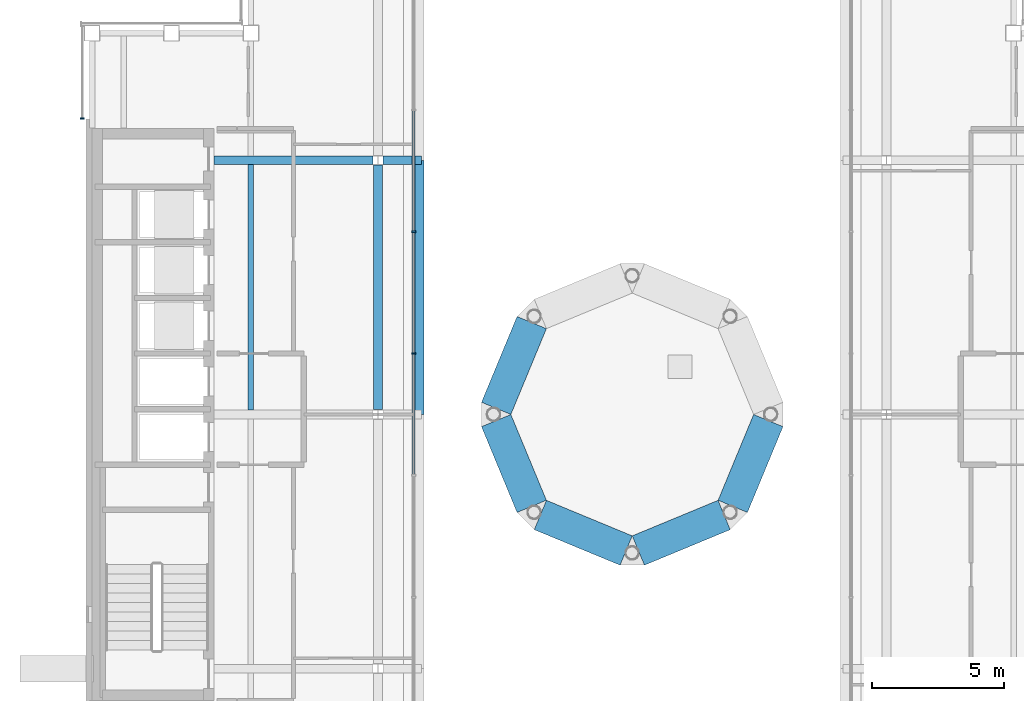
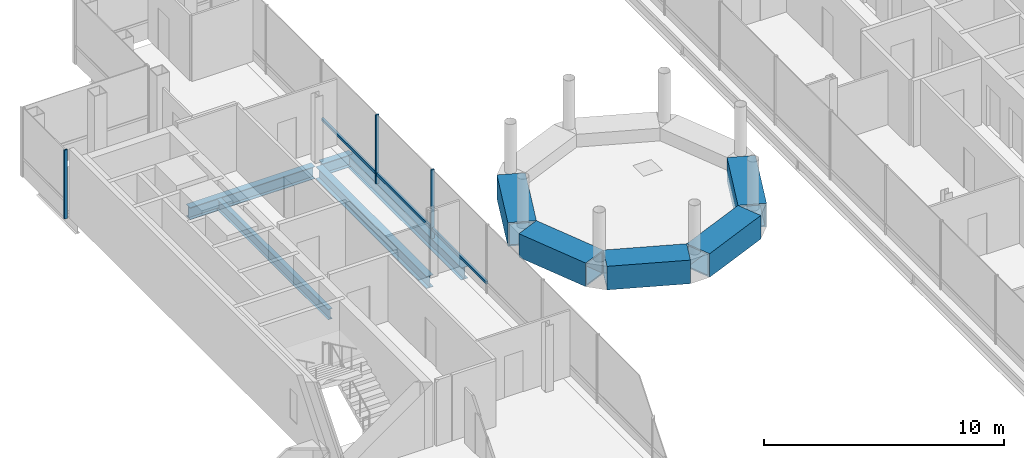
# One storey, part 5 of 16: 10 beams, 6 members, 2 elements without a shape of their own.
"""IFC4 building model written with IfcOpenShell, lengths in metres."""

from ifc_helpers import new_model, si_unit, direction, frame, origin, origin_2d, place, context, subcontext, project, spatial, rectangle, hollow_rectangle, i_section, extrude, material, material_profile, profile_set, type_object, element, aggregate, save


model = new_model("IFC4")

# Units and contexts
model_context = context("Model", 3, precision=1e-05, world=origin(), true_north=direction((0.0, 1.0)))
body_context = subcontext(model_context, "Body", "Model", "MODEL_VIEW")
ifc_project = project(units=[si_unit("LENGTHUNIT", "METRE"), si_unit("AREAUNIT", "SQUARE_METRE"), si_unit("VOLUMEUNIT", "CUBIC_METRE"), si_unit("PLANEANGLEUNIT", "RADIAN"), si_unit("MASSUNIT", "GRAM", prefix="KILO")], contexts=[model_context])

# Site, building, storey
site_placement = place(None, origin())
site = spatial("IfcSite", under=ifc_project, at=site_placement, CompositionType="ELEMENT")
building_placement = place(site_placement, origin())
building = spatial("IfcBuilding", under=site, at=building_placement, Name="Cobrizo Arcos Hotel Tower", CompositionType="ELEMENT")
storey_placement = place(building_placement, frame((0.0, 0.0, 272.5)))
storey = spatial("IfcBuildingStorey", under=building, at=storey_placement, Name="L72", CompositionType="ELEMENT", Elevation=272.5)

# Beams
ifc_material_1 = material(Name="Steel ASTM A572 Grade 50", Category="steel")
ifc_material_profile_1 = material_profile(ifc_material_1, hollow_rectangle(XDim=1.199951171875, YDim=1.199951171875, WallThickness=0.070068359375, at=origin_2d()), Name="BOX 1200X1200X70")
ifc_profile_set_1 = profile_set([ifc_material_profile_1], Name="Steel ASTM A572 Grade 50")
beam_type_1 = type_object("IfcBeamType", Name="BOX 1200X1200X70 drum ring beam", PredefinedType="BEAM", material=ifc_profile_set_1)
for number, where, z_axis, x_axis, name in (
    (1, (-3.795166015625, 3.470458984375, 0.39990234375), (-0.382642737497, -0.923896387827, 0.0), (0.923896387827, -0.382642737497, 0.0), "Drum ring beam RB4, no. 3"),
    (2, (-5.137451171875, -0.2294921875, 0.39990234375), (0.382642737497, -0.923896387827, 0.0), (0.923896387827, 0.382642737497, 0.0), "Drum ring beam RB5, no. 4"),
    (3, (-3.470458984375, -3.795166015625, 0.39990234375), (0.923896387827, -0.382642737497, 0.0), (0.382642737497, 0.923896387827, 0.0), "Drum ring beam RB6, no. 5"),
    (4, (0.2294921875, -5.137451171875, 0.39990234375), (0.923896387827, 0.382642737497, 0.0), (-0.382642737497, 0.923896387827, 0.0), "Drum ring beam RB7, no. 6"),
    (5, (3.795166015625, -3.470458984375, 0.39990234375), (0.382642737497, 0.923896387827, 0.0), (-0.923896387827, 0.382642737497, 0.0), "Drum ring beam RB8, no. 7"),
):
    element("IfcBeam", number, at=place(storey_placement, frame(where, z_axis=z_axis, x_axis=x_axis)), inside=storey, type_object=beam_type_1, Name=name, PredefinedType="BEAM", context=body_context, shape_type="SweptSolid", body=[
        extrude(hollow_rectangle(XDim=1.199951171875, YDim=1.199951171875, WallThickness=0.070068359375, at=origin_2d()), origin(), (0.0, 0.0, 1.0), 3.5078125),
    ])

# Curtain wall, member
ifc_material_2 = material(Name="Aluminium 6063-T6 anodised bronze", Category="aluminium")
curtain_wall_type_1 = type_object("IfcCurtainWallType", Name="CW-A guest facade", PredefinedType="NOTDEFINED", material=ifc_material_2)
curtain_wall_1_placement = place(storey_placement, origin())
curtain_wall_1 = element("IfcCurtainWall", 6, at=curtain_wall_1_placement, inside=storey, type_object=curtain_wall_type_1, Name="CW-A L72 W face", PredefinedType="NOTDEFINED")
ifc_material_profile_2 = material_profile(ifc_material_2, rectangle(XDim=0.14990234375, YDim=0.06005859375, at=origin_2d()), Name="CW-A mullion 150x60")
ifc_profile_set_2 = profile_set([ifc_material_profile_2], Name="Aluminium 6063-T6 anodised bronze")
member_type_1 = type_object("IfcMemberType", Name="CW-A mullion 150x60", PredefinedType="MULLION", material=ifc_profile_set_2)
member_1_placement = place(storey_placement, frame((-20.77490234375, 11.179931640625, 0.0), z_axis=(0.0, 0.0, 1.0), x_axis=(-1.0, 0.0, 0.0)))
member_1 = element("IfcMember", 7, at=member_1_placement, type_object=member_type_1, Name="CW-A mullion 2", PredefinedType="MULLION", context=body_context, shape_type="SweptSolid", body=[
    extrude(rectangle(XDim=0.14990234375, YDim=0.06005859375, at=origin_2d()), origin(), (0.0, 0.0, 1.0), 3.5),
])
aggregate(curtain_wall_1, [member_1])

# Curtain wall, members
curtain_wall_type_2 = type_object("IfcCurtainWallType", Name="CW-C arch infill and crown glazing", PredefinedType="NOTDEFINED", material=ifc_material_2)
curtain_wall_2_placement = place(storey_placement, origin())
curtain_wall_2 = element("IfcCurtainWall", 8, at=curtain_wall_2_placement, inside=storey, type_object=curtain_wall_type_2, Name="CW-C L72 E face", PredefinedType="NOTDEFINED")
ifc_material_profile_3 = material_profile(ifc_material_2, rectangle(XDim=0.14990234375, YDim=0.070068359375, at=origin_2d()), Name="CW-C mullion 150x70")
ifc_profile_set_3 = profile_set([ifc_material_profile_3], Name="Aluminium 6063-T6 anodised bronze")
member_type_2 = type_object("IfcMemberType", Name="CW-C mullion 150x70", PredefinedType="MULLION", material=ifc_profile_set_3)
member_2_placement = place(storey_placement, frame((-8.260009765625, 2.300048828125, 0.0), z_axis=(0.0, 0.0, 1.0), x_axis=(1.0, 0.0, 0.0)))
member_2 = element("IfcMember", 9, at=member_2_placement, type_object=member_type_2, Name="CW-C mullion 6", PredefinedType="MULLION", context=body_context, shape_type="SweptSolid", body=[
    extrude(rectangle(XDim=0.14990234375, YDim=0.070068359375, at=origin_2d()), origin(), (0.0, 0.0, 1.0), 3.5),
])
member_3_placement = place(storey_placement, frame((-8.260009765625, 6.89990234375, 0.0), z_axis=(0.0, 0.0, 1.0), x_axis=(1.0, 0.0, 0.0)))
member_3 = element("IfcMember", 10, at=member_3_placement, type_object=member_type_2, Name="CW-C mullion 7", PredefinedType="MULLION", context=body_context, shape_type="SweptSolid", body=[
    extrude(rectangle(XDim=0.14990234375, YDim=0.070068359375, at=origin_2d()), origin(), (0.0, 0.0, 1.0), 3.5),
])
ifc_material_profile_4 = material_profile(ifc_material_2, rectangle(XDim=0.10009765625, YDim=0.139892578125, at=origin_2d()), Name="CW-C transom 140x100")
ifc_profile_set_4 = profile_set([ifc_material_profile_4], Name="Aluminium 6063-T6 anodised bronze")
member_type_3 = type_object("IfcMemberType", Name="CW-C transom 140x100", PredefinedType="USERDEFINED", material=ifc_profile_set_4)
member_4_placement = place(storey_placement, frame((-8.260009765625, -2.264892578125, 0.5), z_axis=(0.0, 1.0, 0.0), x_axis=(-1.0, 0.0, 0.0)))
member_4 = element("IfcMember", 11, at=member_4_placement, type_object=member_type_3, Name="CW-C transom 2278", ObjectType="TRANSOM", PredefinedType="USERDEFINED", context=body_context, shape_type="SweptSolid", body=[
    extrude(rectangle(XDim=0.10009765625, YDim=0.139892578125, at=origin_2d()), origin(), (0.0, 0.0, 1.0), 4.52978515625),
])
member_5_placement = place(storey_placement, frame((-8.260009765625, 2.3349609375, 0.5), z_axis=(0.0, 1.0, 0.0), x_axis=(-1.0, 0.0, 0.0)))
member_5 = element("IfcMember", 12, at=member_5_placement, type_object=member_type_3, Name="CW-C transom 2279", ObjectType="TRANSOM", PredefinedType="USERDEFINED", context=body_context, shape_type="SweptSolid", body=[
    extrude(rectangle(XDim=0.10009765625, YDim=0.139892578125, at=origin_2d()), origin(), (0.0, 0.0, 1.0), 4.530029296875),
])
member_6_placement = place(storey_placement, frame((-8.260009765625, 6.93505859375, 0.5), z_axis=(0.0, 1.0, 0.0), x_axis=(-1.0, 0.0, 0.0)))
member_6 = element("IfcMember", 13, at=member_6_placement, type_object=member_type_3, Name="CW-C transom 2280", ObjectType="TRANSOM", PredefinedType="USERDEFINED", context=body_context, shape_type="SweptSolid", body=[
    extrude(rectangle(XDim=0.10009765625, YDim=0.139892578125, at=origin_2d()), origin(), (0.0, 0.0, 1.0), 4.530029296875),
])
aggregate(curtain_wall_2, [member_2, member_3, member_4, member_5, member_6])

# Beams
ifc_material_3 = material(Name="Steel ASTM A992 Grade 50", Category="steel")
ifc_material_profile_5 = material_profile(ifc_material_3, i_section(OverallWidth=0.209228515625, OverallDepth=0.533447265625, WebThickness=0.01025390625, FlangeThickness=0.015625, at=origin_2d()), Name="W21X62")
ifc_profile_set_5 = profile_set([ifc_material_profile_5], Name="Steel ASTM A992 Grade 50")
beam_type_2 = type_object("IfcBeamType", Name="W21X62 joist", PredefinedType="JOIST", material=ifc_profile_set_5)
beam_1_placement = place(storey_placement, frame((-14.39990234375, 0.163818359375, -0.416748046875), z_axis=(0.0, 1.0, 0.0), x_axis=(-1.0, 0.0, 0.0)))
element("IfcBeam", 14, at=beam_1_placement, inside=storey, type_object=beam_type_2, Name="Floor joist J1, L72, no. 005", PredefinedType="JOIST", context=body_context, shape_type="SweptSolid", body=[
    extrude(i_section(OverallWidth=0.209228515625, OverallDepth=0.533447265625, WebThickness=0.01025390625, FlangeThickness=0.015625, at=origin_2d()), origin(), (0.0, 0.0, 1.0), 9.272216796875),
])
ifc_material_profile_6 = material_profile(ifc_material_3, i_section(OverallWidth=0.32763671875, OverallDepth=0.622314453125, WebThickness=0.015380859375, FlangeThickness=0.0244140625, at=origin_2d()), Name="W24X131")
ifc_profile_set_6 = profile_set([ifc_material_profile_6], Name="Steel ASTM A992 Grade 50")
beam_type_3 = type_object("IfcBeamType", Name="W24X131 edge beam", PredefinedType="BEAM", material=ifc_profile_set_6)
beam_2_placement = place(storey_placement, frame((-8.035888671875, 9.60009765625, -0.461181640625), z_axis=(0.0, -1.0, 0.0), x_axis=(1.0, 0.0, 0.0)))
element("IfcBeam", 15, at=beam_2_placement, inside=storey, type_object=beam_type_3, Name="Edge beam EB1, L72, no. 002", PredefinedType="BEAM", context=body_context, shape_type="SweptSolid", body=[
    extrude(i_section(OverallWidth=0.32763671875, OverallDepth=0.622314453125, WebThickness=0.015380859375, FlangeThickness=0.0244140625, at=origin_2d()), origin(), (0.0, 0.0, 1.0), 9.60009765625),
])
ifc_material_profile_7 = material_profile(ifc_material_3, i_section(OverallWidth=0.32763671875, OverallDepth=0.622314453125, WebThickness=0.015380859375, FlangeThickness=0.0244140625, at=origin_2d()), Name="W24X131")
ifc_profile_set_7 = profile_set([ifc_material_profile_7], Name="Steel ASTM A992 Grade 50")
beam_type_4 = type_object("IfcBeamType", Name="W24X131 girder", PredefinedType="BEAM", material=ifc_profile_set_7)
beam_3_placement = place(storey_placement, frame((-15.7900390625, 9.60009765625, -0.461181640625), z_axis=(1.0, 0.0, 0.0), x_axis=(0.0, 1.0, 0.0)))
element("IfcBeam", 16, at=beam_3_placement, inside=storey, type_object=beam_type_4, Name="Floor girder G1, L72, no. 009", PredefinedType="BEAM", context=body_context, shape_type="SweptSolid", body=[
    extrude(i_section(OverallWidth=0.32763671875, OverallDepth=0.622314453125, WebThickness=0.015380859375, FlangeThickness=0.0244140625, at=origin_2d()), origin(), (0.0, 0.0, 1.0), 6.005859375),
])
beam_4_placement = place(storey_placement, frame((-9.415771484375, 9.60009765625, -0.461181640625), z_axis=(1.0, 0.0, 0.0), x_axis=(0.0, 1.0, 0.0)))
element("IfcBeam", 17, at=beam_4_placement, inside=storey, type_object=beam_type_4, Name="Floor girder G1, L72, no. 010", PredefinedType="BEAM", context=body_context, shape_type="SweptSolid", body=[
    extrude(i_section(OverallWidth=0.32763671875, OverallDepth=0.622314453125, WebThickness=0.015380859375, FlangeThickness=0.0244140625, at=origin_2d()), origin(), (0.0, 0.0, 1.0), 1.45361328125),
])
beam_5_placement = place(storey_placement, frame((-9.60009765625, 0.18408203125, -0.461181640625), z_axis=(0.0, 1.0, 0.0), x_axis=(-1.0, 0.0, 0.0)))
element("IfcBeam", 18, at=beam_5_placement, inside=storey, type_object=beam_type_4, Name="Floor girder G1, L72, no. 015", PredefinedType="BEAM", context=body_context, shape_type="SweptSolid", body=[
    extrude(i_section(OverallWidth=0.32763671875, OverallDepth=0.622314453125, WebThickness=0.015380859375, FlangeThickness=0.0244140625, at=origin_2d()), origin(), (0.0, 0.0, 1.0), 9.231689453125),
])

save(model, "model.ifc")
